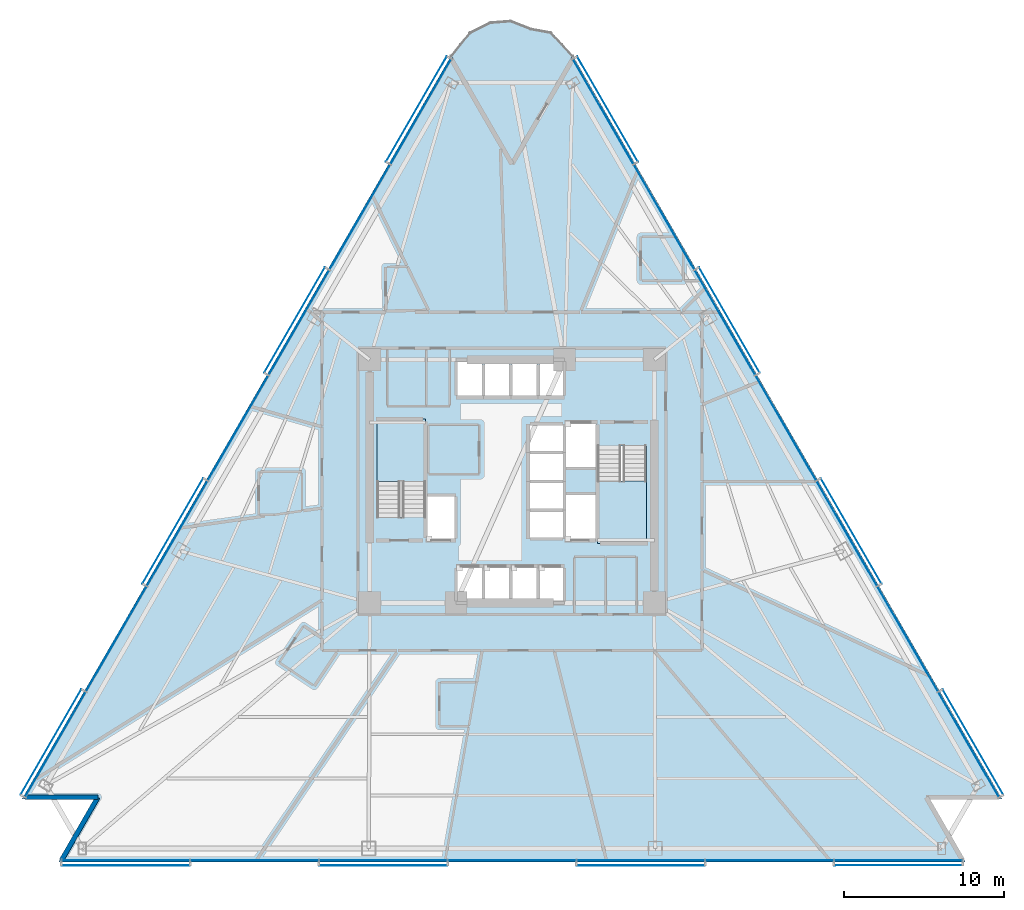
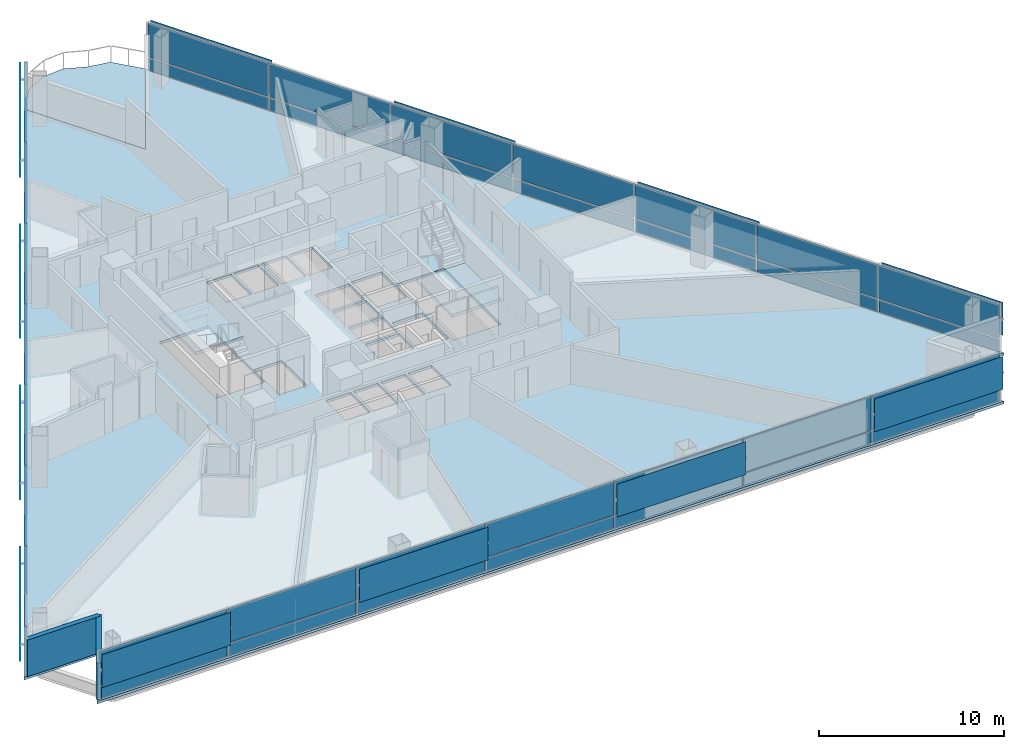
# One storey, part 6 of 16: 54 plates, 4 slabs, 2 walls, 5 elements without a shape of their own.
"""IFC4 building model written with IfcOpenShell, lengths in metres."""

import ifcopenshell
import ifcopenshell.guid

model = None  # the IFC model being written
_history = None  # IfcOwnerHistory: only IFC2X3 demands one
_inside = {}  # id of a spatial element -> (the spatial element, [elements in it])
_under = {}  # id of a project, library or spatial element -> (it, [spatial elements below it])
_declared = {}  # id of a project -> (the project, [libraries it declares])
_typed = {}  # id of a type object -> (the type object, [elements of that type])
_made_of = {}  # id of a material, layer set ... -> (it, [elements and type objects made of it])


def new_model(schema):
    """Start an empty IFC model of exactly this schema.

    Asked for "IFC4X3", IfcOpenShell would pick the latest addendum, in which some entities
    have other attributes; the version numbers below select the first issue.
    IFC2X3 requires an IfcOwnerHistory on every rooted entity: one is made here for all.
    """
    global model, _history
    if schema == "IFC4X3":
        model = ifcopenshell.file(schema_version=(4, 3, 0, 0))
    else:
        model = ifcopenshell.file(schema=schema)
    _inside.clear()
    _under.clear()
    _declared.clear()
    _typed.clear()
    _made_of.clear()
    _history = None
    if model.schema == "IFC2X3":
        org = make("IfcOrganization", Name="unknown")
        user = make(
            "IfcPersonAndOrganization",
            ThePerson=make("IfcPerson", FamilyName="unknown"),
            TheOrganization=org,
        )
        app = make(
            "IfcApplication",
            ApplicationDeveloper=org,
            Version="unknown",
            ApplicationFullName="unknown",
            ApplicationIdentifier="unknown",
        )
        _history = make(
            "IfcOwnerHistory",
            OwningUser=user,
            OwningApplication=app,
            ChangeAction="ADDED",
            CreationDate=0,
        )
    return model


def make(cls, **values):
    """One entity of the class cls with the attributes given. An attribute that is None is left unset."""
    return model.create_entity(
        cls, **{name: value for name, value in values.items() if value is not None}
    )


def rooted(cls, **values):
    """An entity with a GlobalId (a new one), such as an element, a storey or a relation."""
    return make(cls, GlobalId=ifcopenshell.guid.new(), OwnerHistory=_history, **values)


def si_unit(unit_type, name, prefix=None):
    """IfcSIUnit, for example si_unit("LENGTHUNIT", "METRE", prefix="MILLI")."""
    return make("IfcSIUnit", UnitType=unit_type, Prefix=prefix, Name=name)


def assignment(units):
    """IfcUnitAssignment: the units of a project."""
    return None if units is None else make("IfcUnitAssignment", Units=units)


def point(xyz):
    """IfcCartesianPoint."""
    return None if xyz is None else make("IfcCartesianPoint", Coordinates=xyz)


def direction(xyz):
    """IfcDirection."""
    return None if xyz is None else make("IfcDirection", DirectionRatios=xyz)


def frame(location, z_axis=None, x_axis=None):
    """IfcAxis2Placement3D, a coordinate frame: its origin and axes. An axis left out is left unset."""
    return make(
        "IfcAxis2Placement3D",
        Location=point(location),
        Axis=direction(z_axis),
        RefDirection=direction(x_axis),
    )


def frame_2d(location, x_axis=None):
    """IfcAxis2Placement2D, a coordinate frame in the plane: its origin and x axis."""
    return make(
        "IfcAxis2Placement2D", Location=point(location), RefDirection=direction(x_axis)
    )


def origin():
    """The frame at (0, 0, 0) with its axes left unset."""
    return frame((0.0, 0.0, 0.0))


def origin_2d():
    """The frame at (0, 0) in the plane with its x axis left unset."""
    return frame_2d((0.0, 0.0))


def place(relative_to, where):
    """IfcLocalPlacement: puts the frame where relative to a parent placement (None: the world)."""
    return make(
        "IfcLocalPlacement", PlacementRelTo=relative_to, RelativePlacement=where
    )


def context(
    kind, dimensions, precision=None, world=None, true_north=None, identifier=None
):
    """IfcGeometricRepresentationContext, for example the 3D "Model" context."""
    return make(
        "IfcGeometricRepresentationContext",
        ContextIdentifier=identifier,
        ContextType=kind,
        CoordinateSpaceDimension=dimensions,
        Precision=precision,
        WorldCoordinateSystem=world,
        TrueNorth=true_north,
    )


def subcontext(parent, identifier, kind, view, scale=None):
    """IfcGeometricRepresentationSubContext, for example "Body" below "Model"."""
    return make(
        "IfcGeometricRepresentationSubContext",
        ContextIdentifier=identifier,
        ContextType=kind,
        ParentContext=parent,
        TargetScale=scale,
        TargetView=view,
    )


def project(units=None, contexts=None):
    """IfcProject with its units and contexts."""
    return rooted(
        "IfcProject",
        Name="project",
        RepresentationContexts=contexts,
        UnitsInContext=assignment(units),
    )


def spatial(cls, under=None, at=None, **own):
    """A site, building, storey or space (cls), placed at a placement, below another one or the project."""
    s = rooted(cls, ObjectPlacement=at, **own)
    if under is not None:
        _under.setdefault(under.id(), (under, []))[1].append(s)
    return s


def polyline(points):
    """IfcPolyline through the points."""
    return make("IfcPolyline", Points=[point(p) for p in points])


def profile(cls, at=None, kind="AREA", **sizes):
    """A parametric profile (cls). Its sizes go by their IFC names, for example OverallWidth=200.0."""
    return make(cls, ProfileType=kind, Position=at, **sizes)


def rectangle(**sizes):
    """IfcRectangleProfileDef."""
    return profile("IfcRectangleProfileDef", **sizes)


def outline(outer, holes=None, kind="AREA"):
    """IfcArbitraryClosedProfileDef: a profile drawn as a closed curve; with holes, ...WithVoids."""
    if holes is None:
        return make("IfcArbitraryClosedProfileDef", ProfileType=kind, OuterCurve=outer)
    return make(
        "IfcArbitraryProfileDefWithVoids",
        ProfileType=kind,
        OuterCurve=outer,
        InnerCurves=holes,
    )


def extrude(swept, where, along, depth):
    """IfcExtrudedAreaSolid: the profile swept, set in the frame where, extruded along a direction by depth."""
    return make(
        "IfcExtrudedAreaSolid",
        SweptArea=swept,
        Position=where,
        ExtrudedDirection=direction(along),
        Depth=depth,
    )


def shape(context_of_items, identifier, shape_type, items):
    """IfcShapeRepresentation: the items that make up one representation, for example the "Body"."""
    return make(
        "IfcShapeRepresentation",
        ContextOfItems=context_of_items,
        RepresentationIdentifier=identifier,
        RepresentationType=shape_type,
        Items=items,
    )


def material(Name=None, Category=None):
    """IfcMaterial."""
    return make("IfcMaterial", Name=Name, Category=Category)


def layer(
    of_material, thickness, ventilated=None, Name=None, Category=None, Priority=None
):
    """IfcMaterialLayer: one layer of a wall or slab, of a material (None: an air gap)."""
    return make(
        "IfcMaterialLayer",
        Material=of_material,
        LayerThickness=thickness,
        IsVentilated=ventilated,
        Name=Name,
        Category=Category,
        Priority=Priority,
    )


def layer_set(layers, Name=None):
    """IfcMaterialLayerSet."""
    return make("IfcMaterialLayerSet", MaterialLayers=layers, LayerSetName=Name)


def made_of(thing, what):
    """Note that an element or type object is made of a material, layer set ...; save() writes the relation."""
    if what is not None:
        _made_of.setdefault(what.id(), (what, []))[1].append(thing)
    return thing


def type_object(cls, material=None, **own):
    """A type object (cls), such as IfcWallType, which elements share."""
    return made_of(rooted(cls, **own), material)


def element(
    cls,
    number,
    at=None,
    inside=None,
    cuts=None,
    type_object=None,
    material=None,
    context=None,
    identifier="Body",
    shape_type=None,
    held_by="IfcProductDefinitionShape",
    body=None,
    shapes=None,
    **own,
):
    """One element of the class cls, such as IfcWall. Its Tag is "e" and its number.

    at: its placement. inside: the storey or other place that contains it. cuts: it is an
    opening in that element (IfcRelVoidsElement). A single representation is given by context,
    identifier, shape_type and body (its items); several are given by shapes. held_by: the class
    of the entity that holds the representations. save() writes the other relations.
    """
    e = rooted(cls, Tag="e%d" % number, ObjectPlacement=at, **own)
    if body is not None:
        shapes = [shape(context, identifier, shape_type, body)]
    if shapes is not None:
        e.Representation = make(held_by, Representations=shapes)
    if inside is not None:
        _inside.setdefault(inside.id(), (inside, []))[1].append(e)
    if cuts is not None:
        rooted(
            "IfcRelVoidsElement", RelatingBuildingElement=cuts, RelatedOpeningElement=e
        )
    if type_object is not None:
        _typed.setdefault(type_object.id(), (type_object, []))[1].append(e)
    return made_of(e, material)


def aggregate(whole, parts):
    """IfcRelAggregates: a whole, such as a stair, and the parts it consists of."""
    return rooted("IfcRelAggregates", RelatingObject=whole, RelatedObjects=parts)


def save(model, path):
    """Write the relations noted so far, then the file.

    IfcRelAggregates (storeys below a building ...), IfcRelContainedInSpatialStructure (elements
    in a storey), IfcRelDefinesByType, IfcRelAssociatesMaterial and IfcRelDeclares: one each for
    every whole, place, type object, material and project.
    """
    for whole, parts in _under.values():
        aggregate(whole, parts)
    for where, things in _inside.values():
        rooted(
            "IfcRelContainedInSpatialStructure",
            RelatedElements=things,
            RelatingStructure=where,
        )
    for kind, things in _typed.values():
        rooted("IfcRelDefinesByType", RelatedObjects=things, RelatingType=kind)
    for what, things in _made_of.values():
        rooted("IfcRelAssociatesMaterial", RelatedObjects=things, RelatingMaterial=what)
    for by, libraries in _declared.values():
        rooted("IfcRelDeclares", RelatingContext=by, RelatedDefinitions=libraries)
    model.write(path)


model = new_model("IFC4")

# Units and contexts
model_context = context("Model", 3, precision=1e-05, world=origin(), true_north=direction((0.0, 1.0)))
body_context = subcontext(model_context, "Body", "Model", "MODEL_VIEW")
ifc_project = project(units=[si_unit("LENGTHUNIT", "METRE"), si_unit("AREAUNIT", "SQUARE_METRE"), si_unit("VOLUMEUNIT", "CUBIC_METRE"), si_unit("PLANEANGLEUNIT", "RADIAN"), si_unit("MASSUNIT", "GRAM", prefix="KILO")], contexts=[model_context])

# Site, building, storey
site_placement = place(None, origin())
site = spatial("IfcSite", under=ifc_project, at=site_placement, CompositionType="ELEMENT")
building_placement = place(site_placement, origin())
building = spatial("IfcBuilding", under=site, at=building_placement, Name="Tharavind Bronze Gate", CompositionType="ELEMENT")
storey_placement = place(building_placement, frame((0.0, 0.0, 42.050048828125)))
storey = spatial("IfcBuildingStorey", under=building, at=storey_placement, Name="L09", CompositionType="ELEMENT", Elevation=42.050048828125)

# Plates
ifc_material_1 = material(Name="Perforated Bronze Alloy", Category="bronze")
ifc_layer_1 = layer(ifc_material_1, 0.011962890625)
ifc_layer_set_1 = layer_set([ifc_layer_1], Name="Perforated Bronze Alloy")
plate_type_1 = type_object("IfcPlateType", Name="BRONZE PERFORATED SOLAR SCREEN", PredefinedType="USERDEFINED", material=ifc_layer_set_1)
for number, where, z_axis, x_axis, name in (
    (1, (-5.976806640625, 23.27783203125, 0.97412109375), (0.0, 0.0, 1.0), (-0.500001511499, -0.866024531118, 0.0), "CW-L09-S1 perforated bronze solar screen 1"),
    (2, (-13.5927734375, 10.086669921875, 0.97412109375), (0.0, 0.0, 1.0), (-0.500001511499, -0.866024531118, 0.0), "CW-L09-S1 perforated bronze solar screen 3"),
    (3, (-21.208740234375, -3.1044921875, 0.97412109375), (0.0, 0.0, 1.0), (-0.500001511499, -0.866024531118, 0.0), "CW-L09-S1 perforated bronze solar screen 5"),
    (4, (-28.82470703125, -16.295654296875, 0.97412109375), (0.0, 0.0, 1.0), (-0.500001511499, -0.866024531118, 0.0), "CW-L09-S1 perforated bronze solar screen 7"),
):
    element("IfcPlate", number, at=place(storey_placement, frame(where, z_axis=z_axis, x_axis=x_axis)), inside=storey, type_object=plate_type_1, Name=name, ObjectType="SCREEN", PredefinedType="USERDEFINED", context=body_context, shape_type="SweptSolid", body=[
        extrude(rectangle(XDim=7.595947265625, YDim=0.011962890625, at=origin_2d()), origin(), (0.0, 0.0, 1.0), 2.177001953125),
    ])
for number, where, z_axis, x_axis, name in (
    (5, (-24.150634765625, -24.014892578125, 0.97412109375), (0.0, 0.0, 1.0), (1.0, 0.0, 0.0), "CW-L09-S2 perforated bronze solar screen 1"),
    (6, (-8.05029296875, -24.014892578125, 0.97412109375), (0.0, 0.0, 1.0), (1.0, 0.0, 0.0), "CW-L09-S2 perforated bronze solar screen 3"),
    (7, (8.05029296875, -24.014892578125, 0.97412109375), (0.0, 0.0, 1.0), (1.0, 0.0, 0.0), "CW-L09-S2 perforated bronze solar screen 5"),
    (8, (24.150634765625, -24.014892578125, 0.97412109375), (0.0, 0.0, 1.0), (1.0, 0.0, 0.0), "CW-L09-S2 perforated bronze solar screen 7"),
):
    element("IfcPlate", number, at=place(storey_placement, frame(where, z_axis=z_axis, x_axis=x_axis)), inside=storey, type_object=plate_type_1, Name=name, ObjectType="SCREEN", PredefinedType="USERDEFINED", context=body_context, shape_type="SweptSolid", body=[
        extrude(rectangle(XDim=8.0302734375, YDim=0.011962890625, at=origin_2d()), origin(), (0.0, 0.0, 1.0), 2.177001953125),
    ])
for number, where, z_axis, x_axis, name in (
    (9, (28.82470703125, -16.295654296875, 0.97412109375), (0.0, 0.0, 1.0), (-0.500001511499, 0.866024531118, 0.0), "CW-L09-S3 perforated bronze solar screen 1"),
    (10, (21.208740234375, -3.1044921875, 0.97412109375), (0.0, 0.0, 1.0), (-0.500001511499, 0.866024531118, 0.0), "CW-L09-S3 perforated bronze solar screen 3"),
    (11, (13.5927734375, 10.086669921875, 0.97412109375), (0.0, 0.0, 1.0), (-0.500001511499, 0.866024531118, 0.0), "CW-L09-S3 perforated bronze solar screen 5"),
    (12, (5.976806640625, 23.27783203125, 0.97412109375), (0.0, 0.0, 1.0), (-0.500001511499, 0.866024531118, 0.0), "CW-L09-S3 perforated bronze solar screen 7"),
):
    element("IfcPlate", number, at=place(storey_placement, frame(where, z_axis=z_axis, x_axis=x_axis)), inside=storey, type_object=plate_type_1, Name=name, ObjectType="SCREEN", PredefinedType="USERDEFINED", context=body_context, shape_type="SweptSolid", body=[
        extrude(rectangle(XDim=7.595947265625, YDim=0.011962890625, at=origin_2d()), origin(), (0.0, 0.0, 1.0), 2.177001953125),
    ])

# Curtain wall, plates
ifc_material_2 = material(Name="Anodised Bronze Aluminium", Category="aluminium")
ifc_layer_2 = layer(ifc_material_2, 0.219970703125)
ifc_layer_set_2 = layer_set([ifc_layer_2], Name="Anodised Bronze Aluminium")
curtain_wall_type = type_object("IfcCurtainWallType", Name="UNITISED CURTAIN WALL HOTEL", PredefinedType="USERDEFINED", material=ifc_layer_set_2)
curtain_wall_1_placement = place(storey_placement, origin())
curtain_wall_1 = element("IfcCurtainWall", 13, at=curtain_wall_1_placement, inside=storey, type_object=curtain_wall_type, Name="L09 unitised curtain wall hotel CW-L09-S1", ObjectType="UNITISED CURTAIN WALL", PredefinedType="USERDEFINED")
ifc_material_3 = material(Name="Patinated Bronze Alloy Sheet", Category="bronze")
ifc_layer_3 = layer(ifc_material_3, 0.01611328125)
ifc_layer_set_3 = layer_set([ifc_layer_3], Name="Patinated Bronze Alloy Sheet")
plate_type_2 = type_object("IfcPlateType", Name="BRONZE SPANDREL CLADDING PANEL 16", PredefinedType="CURTAIN_PANEL", material=ifc_layer_set_3)
plate_1_placement = place(storey_placement, frame((-5.7041015625, 23.120361328125, 0.033935546875), z_axis=(0.0, 0.0, 1.0), x_axis=(-0.500001511499, -0.866024531118, 0.0)))
plate_1 = element("IfcPlate", 14, at=plate_1_placement, type_object=plate_type_2, Name="CW-L09-S1 bronze spandrel panel 1", PredefinedType="CURTAIN_PANEL", context=body_context, shape_type="SweptSolid", body=[
    extrude(rectangle(XDim=7.5478515625, YDim=0.01611328125, at=origin_2d()), origin(), (0.0, 0.0, 1.0), 0.83203125),
])
plate_2_placement = place(storey_placement, frame((-9.511962890625, 16.52490234375, 0.033935546875), z_axis=(0.0, 0.0, 1.0), x_axis=(-0.500001511499, -0.866024531118, 0.0)))
plate_2 = element("IfcPlate", 15, at=plate_2_placement, type_object=plate_type_2, Name="CW-L09-S1 bronze spandrel panel 2", PredefinedType="CURTAIN_PANEL", context=body_context, shape_type="SweptSolid", body=[
    extrude(rectangle(XDim=7.5478515625, YDim=0.01611328125, at=origin_2d()), origin(), (0.0, 0.0, 1.0), 0.83203125),
])
plate_3_placement = place(storey_placement, frame((-13.31982421875, 9.92919921875, 0.033935546875), z_axis=(0.0, 0.0, 1.0), x_axis=(-0.500001511499, -0.866024531118, 0.0)))
plate_3 = element("IfcPlate", 16, at=plate_3_placement, type_object=plate_type_2, Name="CW-L09-S1 bronze spandrel panel 3", PredefinedType="CURTAIN_PANEL", context=body_context, shape_type="SweptSolid", body=[
    extrude(rectangle(XDim=7.5478515625, YDim=0.01611328125, at=origin_2d()), origin(), (0.0, 0.0, 1.0), 0.83203125),
])
plate_4_placement = place(storey_placement, frame((-17.1279296875, 3.33349609375, 0.033935546875), z_axis=(0.0, 0.0, 1.0), x_axis=(-0.500001511499, -0.866024531118, 0.0)))
plate_4 = element("IfcPlate", 17, at=plate_4_placement, type_object=plate_type_2, Name="CW-L09-S1 bronze spandrel panel 4", PredefinedType="CURTAIN_PANEL", context=body_context, shape_type="SweptSolid", body=[
    extrude(rectangle(XDim=7.5478515625, YDim=0.01611328125, at=origin_2d()), origin(), (0.0, 0.0, 1.0), 0.83203125),
])
plate_5_placement = place(storey_placement, frame((-20.935791015625, -3.261962890625, 0.033935546875), z_axis=(0.0, 0.0, 1.0), x_axis=(-0.500001511499, -0.866024531118, 0.0)))
plate_5 = element("IfcPlate", 18, at=plate_5_placement, type_object=plate_type_2, Name="CW-L09-S1 bronze spandrel panel 5", PredefinedType="CURTAIN_PANEL", context=body_context, shape_type="SweptSolid", body=[
    extrude(rectangle(XDim=7.5478515625, YDim=0.01611328125, at=origin_2d()), origin(), (0.0, 0.0, 1.0), 0.83203125),
])
plate_6_placement = place(storey_placement, frame((-24.743896484375, -9.857421875, 0.033935546875), z_axis=(0.0, 0.0, 1.0), x_axis=(-0.500001511499, -0.866024531118, 0.0)))
plate_6 = element("IfcPlate", 19, at=plate_6_placement, type_object=plate_type_2, Name="CW-L09-S1 bronze spandrel panel 6", PredefinedType="CURTAIN_PANEL", context=body_context, shape_type="SweptSolid", body=[
    extrude(rectangle(XDim=7.5478515625, YDim=0.01611328125, at=origin_2d()), origin(), (0.0, 0.0, 1.0), 0.83203125),
])
plate_7_placement = place(storey_placement, frame((-28.5517578125, -16.453125, 0.033935546875), z_axis=(0.0, 0.0, 1.0), x_axis=(-0.500001511499, -0.866024531118, 0.0)))
plate_7 = element("IfcPlate", 20, at=plate_7_placement, type_object=plate_type_2, Name="CW-L09-S1 bronze spandrel panel 7", PredefinedType="CURTAIN_PANEL", context=body_context, shape_type="SweptSolid", body=[
    extrude(rectangle(XDim=7.5478515625, YDim=0.01611328125, at=origin_2d()), origin(), (0.0, 0.0, 1.0), 0.83203125),
])

curtain_wall_2_placement = place(storey_placement, origin())
curtain_wall_2 = element("IfcCurtainWall", 21, at=curtain_wall_2_placement, inside=storey, type_object=curtain_wall_type, Name="L09 unitised curtain wall hotel CW-L09-S2", ObjectType="UNITISED CURTAIN WALL", PredefinedType="USERDEFINED")
plate_8_placement = place(storey_placement, frame((-24.150634765625, -23.699951171875, 0.033935546875), z_axis=(0.0, 0.0, 1.0), x_axis=(1.0, 0.0, 0.0)))
plate_8 = element("IfcPlate", 22, at=plate_8_placement, type_object=plate_type_2, Name="CW-L09-S2 bronze spandrel panel 1", PredefinedType="CURTAIN_PANEL", context=body_context, shape_type="SweptSolid", body=[
    extrude(rectangle(XDim=7.982177734375, YDim=0.01611328125, at=origin_2d()), origin(), (0.0, 0.0, 1.0), 0.83203125),
])
plate_9_placement = place(storey_placement, frame((-16.1005859375, -23.699951171875, 0.033935546875), z_axis=(0.0, 0.0, 1.0), x_axis=(1.0, 0.0, 0.0)))
plate_9 = element("IfcPlate", 23, at=plate_9_placement, type_object=plate_type_2, Name="CW-L09-S2 bronze spandrel panel 2", PredefinedType="CURTAIN_PANEL", context=body_context, shape_type="SweptSolid", body=[
    extrude(rectangle(XDim=7.982177734375, YDim=0.01611328125, at=origin_2d()), origin(), (0.0, 0.0, 1.0), 0.83203125),
])
plate_10_placement = place(storey_placement, frame((-8.05029296875, -23.699951171875, 0.033935546875), z_axis=(0.0, 0.0, 1.0), x_axis=(1.0, 0.0, 0.0)))
plate_10 = element("IfcPlate", 24, at=plate_10_placement, type_object=plate_type_2, Name="CW-L09-S2 bronze spandrel panel 3", PredefinedType="CURTAIN_PANEL", context=body_context, shape_type="SweptSolid", body=[
    extrude(rectangle(XDim=7.982177734375, YDim=0.01611328125, at=origin_2d()), origin(), (0.0, 0.0, 1.0), 0.83203125),
])
plate_11_placement = place(storey_placement, frame((0.0, -23.699951171875, 0.033935546875), z_axis=(0.0, 0.0, 1.0), x_axis=(1.0, 0.0, 0.0)))
plate_11 = element("IfcPlate", 25, at=plate_11_placement, type_object=plate_type_2, Name="CW-L09-S2 bronze spandrel panel 4", PredefinedType="CURTAIN_PANEL", context=body_context, shape_type="SweptSolid", body=[
    extrude(rectangle(XDim=7.982177734375, YDim=0.01611328125, at=origin_2d()), origin(), (0.0, 0.0, 1.0), 0.83203125),
])
plate_12_placement = place(storey_placement, frame((8.05029296875, -23.699951171875, 0.033935546875), z_axis=(0.0, 0.0, 1.0), x_axis=(1.0, 0.0, 0.0)))
plate_12 = element("IfcPlate", 26, at=plate_12_placement, type_object=plate_type_2, Name="CW-L09-S2 bronze spandrel panel 5", PredefinedType="CURTAIN_PANEL", context=body_context, shape_type="SweptSolid", body=[
    extrude(rectangle(XDim=7.982177734375, YDim=0.01611328125, at=origin_2d()), origin(), (0.0, 0.0, 1.0), 0.83203125),
])
plate_13_placement = place(storey_placement, frame((16.1005859375, -23.699951171875, 0.033935546875), z_axis=(0.0, 0.0, 1.0), x_axis=(1.0, 0.0, 0.0)))
plate_13 = element("IfcPlate", 27, at=plate_13_placement, type_object=plate_type_2, Name="CW-L09-S2 bronze spandrel panel 6", PredefinedType="CURTAIN_PANEL", context=body_context, shape_type="SweptSolid", body=[
    extrude(rectangle(XDim=7.982177734375, YDim=0.01611328125, at=origin_2d()), origin(), (0.0, 0.0, 1.0), 0.83203125),
])
plate_14_placement = place(storey_placement, frame((24.150634765625, -23.699951171875, 0.033935546875), z_axis=(0.0, 0.0, 1.0), x_axis=(1.0, 0.0, 0.0)))
plate_14 = element("IfcPlate", 28, at=plate_14_placement, type_object=plate_type_2, Name="CW-L09-S2 bronze spandrel panel 7", PredefinedType="CURTAIN_PANEL", context=body_context, shape_type="SweptSolid", body=[
    extrude(rectangle(XDim=7.982177734375, YDim=0.01611328125, at=origin_2d()), origin(), (0.0, 0.0, 1.0), 0.83203125),
])

curtain_wall_3_placement = place(storey_placement, origin())
curtain_wall_3 = element("IfcCurtainWall", 29, at=curtain_wall_3_placement, inside=storey, type_object=curtain_wall_type, Name="L09 unitised curtain wall hotel CW-L09-S3", ObjectType="UNITISED CURTAIN WALL", PredefinedType="USERDEFINED")
plate_15_placement = place(storey_placement, frame((28.5517578125, -16.453125, 0.033935546875), z_axis=(0.0, 0.0, 1.0), x_axis=(-0.500001511499, 0.866024531118, 0.0)))
plate_15 = element("IfcPlate", 30, at=plate_15_placement, type_object=plate_type_2, Name="CW-L09-S3 bronze spandrel panel 1", PredefinedType="CURTAIN_PANEL", context=body_context, shape_type="SweptSolid", body=[
    extrude(rectangle(XDim=7.5478515625, YDim=0.01611328125, at=origin_2d()), origin(), (0.0, 0.0, 1.0), 0.83203125),
])
plate_16_placement = place(storey_placement, frame((24.743896484375, -9.857421875, 0.033935546875), z_axis=(0.0, 0.0, 1.0), x_axis=(-0.500001511499, 0.866024531118, 0.0)))
plate_16 = element("IfcPlate", 31, at=plate_16_placement, type_object=plate_type_2, Name="CW-L09-S3 bronze spandrel panel 2", PredefinedType="CURTAIN_PANEL", context=body_context, shape_type="SweptSolid", body=[
    extrude(rectangle(XDim=7.5478515625, YDim=0.01611328125, at=origin_2d()), origin(), (0.0, 0.0, 1.0), 0.83203125),
])
plate_17_placement = place(storey_placement, frame((20.935791015625, -3.261962890625, 0.033935546875), z_axis=(0.0, 0.0, 1.0), x_axis=(-0.500001511499, 0.866024531118, 0.0)))
plate_17 = element("IfcPlate", 32, at=plate_17_placement, type_object=plate_type_2, Name="CW-L09-S3 bronze spandrel panel 3", PredefinedType="CURTAIN_PANEL", context=body_context, shape_type="SweptSolid", body=[
    extrude(rectangle(XDim=7.5478515625, YDim=0.01611328125, at=origin_2d()), origin(), (0.0, 0.0, 1.0), 0.83203125),
])
plate_18_placement = place(storey_placement, frame((17.1279296875, 3.33349609375, 0.033935546875), z_axis=(0.0, 0.0, 1.0), x_axis=(-0.500001511499, 0.866024531118, 0.0)))
plate_18 = element("IfcPlate", 33, at=plate_18_placement, type_object=plate_type_2, Name="CW-L09-S3 bronze spandrel panel 4", PredefinedType="CURTAIN_PANEL", context=body_context, shape_type="SweptSolid", body=[
    extrude(rectangle(XDim=7.5478515625, YDim=0.01611328125, at=origin_2d()), origin(), (0.0, 0.0, 1.0), 0.83203125),
])
plate_19_placement = place(storey_placement, frame((13.31982421875, 9.92919921875, 0.033935546875), z_axis=(0.0, 0.0, 1.0), x_axis=(-0.500001511499, 0.866024531118, 0.0)))
plate_19 = element("IfcPlate", 34, at=plate_19_placement, type_object=plate_type_2, Name="CW-L09-S3 bronze spandrel panel 5", PredefinedType="CURTAIN_PANEL", context=body_context, shape_type="SweptSolid", body=[
    extrude(rectangle(XDim=7.5478515625, YDim=0.01611328125, at=origin_2d()), origin(), (0.0, 0.0, 1.0), 0.83203125),
])
plate_20_placement = place(storey_placement, frame((9.511962890625, 16.52490234375, 0.033935546875), z_axis=(0.0, 0.0, 1.0), x_axis=(-0.500001511499, 0.866024531118, 0.0)))
plate_20 = element("IfcPlate", 35, at=plate_20_placement, type_object=plate_type_2, Name="CW-L09-S3 bronze spandrel panel 6", PredefinedType="CURTAIN_PANEL", context=body_context, shape_type="SweptSolid", body=[
    extrude(rectangle(XDim=7.5478515625, YDim=0.01611328125, at=origin_2d()), origin(), (0.0, 0.0, 1.0), 0.83203125),
])
plate_21_placement = place(storey_placement, frame((5.7041015625, 23.120361328125, 0.033935546875), z_axis=(0.0, 0.0, 1.0), x_axis=(-0.500001511499, 0.866024531118, 0.0)))
plate_21 = element("IfcPlate", 36, at=plate_21_placement, type_object=plate_type_2, Name="CW-L09-S3 bronze spandrel panel 7", PredefinedType="CURTAIN_PANEL", context=body_context, shape_type="SweptSolid", body=[
    extrude(rectangle(XDim=7.5478515625, YDim=0.01611328125, at=origin_2d()), origin(), (0.0, 0.0, 1.0), 0.83203125),
])

# Plate
ifc_material_4 = material(Name="Low-E Double Glazing", Category="glass")
ifc_layer_4 = layer(ifc_material_4, 0.031982421875)
ifc_layer_set_4 = layer_set([ifc_layer_4], Name="Low-E Double Glazing")
plate_type_3 = type_object("IfcPlateType", Name="DOUBLE GLAZED FACADE PANEL 32", PredefinedType="CURTAIN_PANEL", material=ifc_layer_set_4)
plate_22_placement = place(storey_placement, frame((-5.7041015625, 23.120361328125, 0.93408203125), z_axis=(0.0, 0.0, 1.0), x_axis=(-0.500001511499, -0.866024531118, 0.0)))
plate_22 = element("IfcPlate", 37, at=plate_22_placement, type_object=plate_type_3, Name="CW-L09-S1 vision glazing panel 1", PredefinedType="CURTAIN_PANEL", context=body_context, shape_type="SweptSolid", body=[
    extrude(rectangle(XDim=7.5478515625, YDim=0.031982421875, at=origin_2d()), origin(), (0.0, 0.0, 1.0), 2.257080078125),
])

plate_23_placement = place(storey_placement, frame((-9.511962890625, 16.52490234375, 0.93408203125), z_axis=(0.0, 0.0, 1.0), x_axis=(-0.500001511499, -0.866024531118, 0.0)))
plate_23 = element("IfcPlate", 38, at=plate_23_placement, type_object=plate_type_3, Name="CW-L09-S1 vision glazing panel 2", PredefinedType="CURTAIN_PANEL", context=body_context, shape_type="SweptSolid", body=[
    extrude(rectangle(XDim=7.5478515625, YDim=0.031982421875, at=origin_2d()), origin(), (0.0, 0.0, 1.0), 2.257080078125),
])

plate_24_placement = place(storey_placement, frame((-13.31982421875, 9.92919921875, 0.93408203125), z_axis=(0.0, 0.0, 1.0), x_axis=(-0.500001511499, -0.866024531118, 0.0)))
plate_24 = element("IfcPlate", 39, at=plate_24_placement, type_object=plate_type_3, Name="CW-L09-S1 vision glazing panel 3", PredefinedType="CURTAIN_PANEL", context=body_context, shape_type="SweptSolid", body=[
    extrude(rectangle(XDim=7.5478515625, YDim=0.031982421875, at=origin_2d()), origin(), (0.0, 0.0, 1.0), 2.257080078125),
])

plate_25_placement = place(storey_placement, frame((-17.1279296875, 3.33349609375, 0.93408203125), z_axis=(0.0, 0.0, 1.0), x_axis=(-0.500001511499, -0.866024531118, 0.0)))
plate_25 = element("IfcPlate", 40, at=plate_25_placement, type_object=plate_type_3, Name="CW-L09-S1 vision glazing panel 4", PredefinedType="CURTAIN_PANEL", context=body_context, shape_type="SweptSolid", body=[
    extrude(rectangle(XDim=7.5478515625, YDim=0.031982421875, at=origin_2d()), origin(), (0.0, 0.0, 1.0), 2.257080078125),
])

plate_26_placement = place(storey_placement, frame((-20.935791015625, -3.261962890625, 0.93408203125), z_axis=(0.0, 0.0, 1.0), x_axis=(-0.500001511499, -0.866024531118, 0.0)))
plate_26 = element("IfcPlate", 41, at=plate_26_placement, type_object=plate_type_3, Name="CW-L09-S1 vision glazing panel 5", PredefinedType="CURTAIN_PANEL", context=body_context, shape_type="SweptSolid", body=[
    extrude(rectangle(XDim=7.5478515625, YDim=0.031982421875, at=origin_2d()), origin(), (0.0, 0.0, 1.0), 2.257080078125),
])

plate_27_placement = place(storey_placement, frame((-24.743896484375, -9.857421875, 0.93408203125), z_axis=(0.0, 0.0, 1.0), x_axis=(-0.500001511499, -0.866024531118, 0.0)))
plate_27 = element("IfcPlate", 42, at=plate_27_placement, type_object=plate_type_3, Name="CW-L09-S1 vision glazing panel 6", PredefinedType="CURTAIN_PANEL", context=body_context, shape_type="SweptSolid", body=[
    extrude(rectangle(XDim=7.5478515625, YDim=0.031982421875, at=origin_2d()), origin(), (0.0, 0.0, 1.0), 2.257080078125),
])

plate_28_placement = place(storey_placement, frame((-28.5517578125, -16.453125, 0.93408203125), z_axis=(0.0, 0.0, 1.0), x_axis=(-0.500001511499, -0.866024531118, 0.0)))
plate_28 = element("IfcPlate", 43, at=plate_28_placement, type_object=plate_type_3, Name="CW-L09-S1 vision glazing panel 7", PredefinedType="CURTAIN_PANEL", context=body_context, shape_type="SweptSolid", body=[
    extrude(rectangle(XDim=7.5478515625, YDim=0.031982421875, at=origin_2d()), origin(), (0.0, 0.0, 1.0), 2.257080078125),
])

aggregate(curtain_wall_1, [plate_1, plate_22, plate_2, plate_23, plate_3, plate_24, plate_4, plate_25, plate_5, plate_26, plate_6, plate_27, plate_7, plate_28])

plate_29_placement = place(storey_placement, frame((-24.150634765625, -23.699951171875, 0.93408203125), z_axis=(0.0, 0.0, 1.0), x_axis=(1.0, 0.0, 0.0)))
plate_29 = element("IfcPlate", 44, at=plate_29_placement, type_object=plate_type_3, Name="CW-L09-S2 vision glazing panel 1", PredefinedType="CURTAIN_PANEL", context=body_context, shape_type="SweptSolid", body=[
    extrude(rectangle(XDim=7.982177734375, YDim=0.031982421875, at=origin_2d()), origin(), (0.0, 0.0, 1.0), 2.257080078125),
])

plate_30_placement = place(storey_placement, frame((-16.1005859375, -23.699951171875, 0.93408203125), z_axis=(0.0, 0.0, 1.0), x_axis=(1.0, 0.0, 0.0)))
plate_30 = element("IfcPlate", 45, at=plate_30_placement, type_object=plate_type_3, Name="CW-L09-S2 vision glazing panel 2", PredefinedType="CURTAIN_PANEL", context=body_context, shape_type="SweptSolid", body=[
    extrude(rectangle(XDim=7.982177734375, YDim=0.031982421875, at=origin_2d()), origin(), (0.0, 0.0, 1.0), 2.257080078125),
])

plate_31_placement = place(storey_placement, frame((-8.05029296875, -23.699951171875, 0.93408203125), z_axis=(0.0, 0.0, 1.0), x_axis=(1.0, 0.0, 0.0)))
plate_31 = element("IfcPlate", 46, at=plate_31_placement, type_object=plate_type_3, Name="CW-L09-S2 vision glazing panel 3", PredefinedType="CURTAIN_PANEL", context=body_context, shape_type="SweptSolid", body=[
    extrude(rectangle(XDim=7.982177734375, YDim=0.031982421875, at=origin_2d()), origin(), (0.0, 0.0, 1.0), 2.257080078125),
])

plate_32_placement = place(storey_placement, frame((0.0, -23.699951171875, 0.93408203125), z_axis=(0.0, 0.0, 1.0), x_axis=(1.0, 0.0, 0.0)))
plate_32 = element("IfcPlate", 47, at=plate_32_placement, type_object=plate_type_3, Name="CW-L09-S2 vision glazing panel 4", PredefinedType="CURTAIN_PANEL", context=body_context, shape_type="SweptSolid", body=[
    extrude(rectangle(XDim=7.982177734375, YDim=0.031982421875, at=origin_2d()), origin(), (0.0, 0.0, 1.0), 2.257080078125),
])

plate_33_placement = place(storey_placement, frame((8.05029296875, -23.699951171875, 0.93408203125), z_axis=(0.0, 0.0, 1.0), x_axis=(1.0, 0.0, 0.0)))
plate_33 = element("IfcPlate", 48, at=plate_33_placement, type_object=plate_type_3, Name="CW-L09-S2 vision glazing panel 5", PredefinedType="CURTAIN_PANEL", context=body_context, shape_type="SweptSolid", body=[
    extrude(rectangle(XDim=7.982177734375, YDim=0.031982421875, at=origin_2d()), origin(), (0.0, 0.0, 1.0), 2.257080078125),
])

plate_34_placement = place(storey_placement, frame((16.1005859375, -23.699951171875, 0.93408203125), z_axis=(0.0, 0.0, 1.0), x_axis=(1.0, 0.0, 0.0)))
plate_34 = element("IfcPlate", 49, at=plate_34_placement, type_object=plate_type_3, Name="CW-L09-S2 vision glazing panel 6", PredefinedType="CURTAIN_PANEL", context=body_context, shape_type="SweptSolid", body=[
    extrude(rectangle(XDim=7.982177734375, YDim=0.031982421875, at=origin_2d()), origin(), (0.0, 0.0, 1.0), 2.257080078125),
])

plate_35_placement = place(storey_placement, frame((24.150634765625, -23.699951171875, 0.93408203125), z_axis=(0.0, 0.0, 1.0), x_axis=(1.0, 0.0, 0.0)))
plate_35 = element("IfcPlate", 50, at=plate_35_placement, type_object=plate_type_3, Name="CW-L09-S2 vision glazing panel 7", PredefinedType="CURTAIN_PANEL", context=body_context, shape_type="SweptSolid", body=[
    extrude(rectangle(XDim=7.982177734375, YDim=0.031982421875, at=origin_2d()), origin(), (0.0, 0.0, 1.0), 2.257080078125),
])

aggregate(curtain_wall_2, [plate_8, plate_29, plate_9, plate_30, plate_10, plate_31, plate_11, plate_32, plate_12, plate_33, plate_13, plate_34, plate_14, plate_35])

plate_36_placement = place(storey_placement, frame((28.5517578125, -16.453125, 0.93408203125), z_axis=(0.0, 0.0, 1.0), x_axis=(-0.500001511499, 0.866024531118, 0.0)))
plate_36 = element("IfcPlate", 51, at=plate_36_placement, type_object=plate_type_3, Name="CW-L09-S3 vision glazing panel 1", PredefinedType="CURTAIN_PANEL", context=body_context, shape_type="SweptSolid", body=[
    extrude(rectangle(XDim=7.5478515625, YDim=0.031982421875, at=origin_2d()), origin(), (0.0, 0.0, 1.0), 2.257080078125),
])

plate_37_placement = place(storey_placement, frame((24.743896484375, -9.857421875, 0.93408203125), z_axis=(0.0, 0.0, 1.0), x_axis=(-0.500001511499, 0.866024531118, 0.0)))
plate_37 = element("IfcPlate", 52, at=plate_37_placement, type_object=plate_type_3, Name="CW-L09-S3 vision glazing panel 2", PredefinedType="CURTAIN_PANEL", context=body_context, shape_type="SweptSolid", body=[
    extrude(rectangle(XDim=7.5478515625, YDim=0.031982421875, at=origin_2d()), origin(), (0.0, 0.0, 1.0), 2.257080078125),
])

plate_38_placement = place(storey_placement, frame((20.935791015625, -3.261962890625, 0.93408203125), z_axis=(0.0, 0.0, 1.0), x_axis=(-0.500001511499, 0.866024531118, 0.0)))
plate_38 = element("IfcPlate", 53, at=plate_38_placement, type_object=plate_type_3, Name="CW-L09-S3 vision glazing panel 3", PredefinedType="CURTAIN_PANEL", context=body_context, shape_type="SweptSolid", body=[
    extrude(rectangle(XDim=7.5478515625, YDim=0.031982421875, at=origin_2d()), origin(), (0.0, 0.0, 1.0), 2.257080078125),
])

plate_39_placement = place(storey_placement, frame((17.1279296875, 3.33349609375, 0.93408203125), z_axis=(0.0, 0.0, 1.0), x_axis=(-0.500001511499, 0.866024531118, 0.0)))
plate_39 = element("IfcPlate", 54, at=plate_39_placement, type_object=plate_type_3, Name="CW-L09-S3 vision glazing panel 4", PredefinedType="CURTAIN_PANEL", context=body_context, shape_type="SweptSolid", body=[
    extrude(rectangle(XDim=7.5478515625, YDim=0.031982421875, at=origin_2d()), origin(), (0.0, 0.0, 1.0), 2.257080078125),
])

plate_40_placement = place(storey_placement, frame((13.31982421875, 9.92919921875, 0.93408203125), z_axis=(0.0, 0.0, 1.0), x_axis=(-0.500001511499, 0.866024531118, 0.0)))
plate_40 = element("IfcPlate", 55, at=plate_40_placement, type_object=plate_type_3, Name="CW-L09-S3 vision glazing panel 5", PredefinedType="CURTAIN_PANEL", context=body_context, shape_type="SweptSolid", body=[
    extrude(rectangle(XDim=7.5478515625, YDim=0.031982421875, at=origin_2d()), origin(), (0.0, 0.0, 1.0), 2.257080078125),
])

plate_41_placement = place(storey_placement, frame((9.511962890625, 16.52490234375, 0.93408203125), z_axis=(0.0, 0.0, 1.0), x_axis=(-0.500001511499, 0.866024531118, 0.0)))
plate_41 = element("IfcPlate", 56, at=plate_41_placement, type_object=plate_type_3, Name="CW-L09-S3 vision glazing panel 6", PredefinedType="CURTAIN_PANEL", context=body_context, shape_type="SweptSolid", body=[
    extrude(rectangle(XDim=7.5478515625, YDim=0.031982421875, at=origin_2d()), origin(), (0.0, 0.0, 1.0), 2.257080078125),
])

plate_42_placement = place(storey_placement, frame((5.7041015625, 23.120361328125, 0.93408203125), z_axis=(0.0, 0.0, 1.0), x_axis=(-0.500001511499, 0.866024531118, 0.0)))
plate_42 = element("IfcPlate", 57, at=plate_42_placement, type_object=plate_type_3, Name="CW-L09-S3 vision glazing panel 7", PredefinedType="CURTAIN_PANEL", context=body_context, shape_type="SweptSolid", body=[
    extrude(rectangle(XDim=7.5478515625, YDim=0.031982421875, at=origin_2d()), origin(), (0.0, 0.0, 1.0), 2.257080078125),
])

aggregate(curtain_wall_3, [plate_15, plate_36, plate_16, plate_37, plate_17, plate_38, plate_18, plate_39, plate_19, plate_40, plate_20, plate_41, plate_21, plate_42])

# Slab
ifc_material_5 = material(Name="Concrete C40/50", Category="concrete")
ifc_layer_5 = layer(ifc_material_5, 0.175048828125)
ifc_layer_set_5 = layer_set([ifc_layer_5], Name="Concrete C40/50")
slab_type_1 = type_object("IfcSlabType", Name="EXTERIOR BALCONY SLAB 175", PredefinedType="FLOOR", material=ifc_layer_set_5)
slab_1_placement = place(storey_placement, frame((0.0, 0.0, -0.175048828125)))
element("IfcSlab", 58, at=slab_1_placement, inside=storey, type_object=slab_type_1, Name="L09 northeast tree balcony slab", PredefinedType="FLOOR", context=body_context, shape_type="SweptSolid", body=[
    extrude(outline(polyline([(2.44384765625, 28.1181640625), (1.17724609375, 28.349609375), (-0.089599609375, 28.847900390625), (-1.356201171875, 28.7490234375), (-2.622802734375, 28.1181640625), (-3.800048828125, 26.6181640625), (0.0, 20.036376953125), (3.800048828125, 26.6181640625), (2.44384765625, 28.1181640625)])), origin(), (0.0, 0.0, 1.0), 0.175048828125),
])

# Stair, slab
stair_type = type_object("IfcStairType", Name="CORE HALF TURN STAIR 1450", PredefinedType="HALF_TURN_STAIR", material=ifc_material_5)
stair_1_placement = place(storey_placement, origin())
stair_1 = element("IfcStair", 59, at=stair_1_placement, inside=storey, type_object=stair_type, Name="L09 Protected Exit Stair ST1", PredefinedType="HALF_TURN_STAIR")
ifc_layer_6 = layer(ifc_material_5, 0.199951171875)
ifc_layer_set_6 = layer_set([ifc_layer_6], Name="Concrete C40/50")
slab_type_2 = type_object("IfcSlabType", Name="STAIR LANDING SLAB 200", PredefinedType="LANDING", material=ifc_layer_set_6)
slab_2_placement = place(storey_placement, frame((0.0, 0.0, 1.5)))
slab_2 = element("IfcSlab", 60, at=slab_2_placement, type_object=slab_type_2, Name="ST1 landing 1", PredefinedType="LANDING", context=body_context, shape_type="SweptSolid", body=[
    extrude(outline(polyline([(-5.39990234375, -0.010009765625), (-5.39990234375, 3.89990234375), (-8.449951171875, 3.89990234375), (-8.449951171875, -0.010009765625), (-5.39990234375, -0.010009765625)])), origin(), (0.0, 0.0, 1.0), 0.199951171875),
])
aggregate(stair_1, [slab_2])

stair_2_placement = place(storey_placement, origin())
stair_2 = element("IfcStair", 61, at=stair_2_placement, inside=storey, type_object=stair_type, Name="L09 Protected Exit Stair ST2", PredefinedType="HALF_TURN_STAIR")
slab_3_placement = place(storey_placement, frame((0.0, 0.0, 1.5)))
slab_3 = element("IfcSlab", 62, at=slab_3_placement, type_object=slab_type_2, Name="ST2 landing 1", PredefinedType="LANDING", context=body_context, shape_type="SweptSolid", body=[
    extrude(outline(polyline([(5.35009765625, 0.010009765625), (5.35009765625, -3.89990234375), (8.39990234375, -3.89990234375), (8.39990234375, 0.010009765625), (5.35009765625, 0.010009765625)])), origin(), (0.0, 0.0, 1.0), 0.199951171875),
])
aggregate(stair_2, [slab_3])

# Slab
ifc_layer_7 = layer(ifc_material_5, 0.175048828125)
ifc_layer_set_7 = layer_set([ifc_layer_7], Name="Concrete C40/50")
slab_type_3 = type_object("IfcSlabType", Name="STRUCTURAL FLOOR SLAB 175", PredefinedType="FLOOR", material=ifc_layer_set_7)
slab_4_placement = place(storey_placement, frame((0.0, 0.0, -0.175048828125)))
element("IfcSlab", 63, at=slab_4_placement, inside=storey, type_object=slab_type_3, Name="L09 main structural floor slab", PredefinedType="FLOOR", context=body_context, shape_type="SweptSolid", body=[
    extrude(outline(polyline([(3.800048828125, 26.6181640625), (0.0, 20.036376953125), (-3.800048828125, 26.6181640625), (-30.62890625, -19.850830078125), (-26.069091796875, -19.850830078125), (-28.34912109375, -23.800048828125), (28.34912109375, -23.800048828125), (26.069091796875, -19.850830078125), (30.62890625, -19.850830078125), (3.800048828125, 26.6181640625)]), holes=[polyline([(-5.39990234375, -2.215087890625), (-5.39990234375, 3.89990234375), (-8.449951171875, 3.89990234375), (-8.449951171875, -2.215087890625), (-5.39990234375, -2.215087890625)]), polyline([(5.35009765625, 2.215087890625), (5.35009765625, -3.89990234375), (8.39990234375, -3.89990234375), (8.39990234375, 2.215087890625), (5.35009765625, 2.215087890625)]), polyline([(-3.419921875, -7.52001953125), (-1.867431640625, -7.52001953125), (-1.867431640625, -5.3798828125), (-3.419921875, -5.3798828125), (-3.419921875, -7.52001953125)]), polyline([(-1.70751953125, -7.52001953125), (-0.155029296875, -7.52001953125), (-0.155029296875, -5.3798828125), (-1.70751953125, -5.3798828125), (-1.70751953125, -7.52001953125)]), polyline([(0.0048828125, -7.52001953125), (1.5576171875, -7.52001953125), (1.5576171875, -5.3798828125), (0.0048828125, -5.3798828125), (0.0048828125, -7.52001953125)]), polyline([(1.717529296875, -7.52001953125), (3.199951171875, -7.52001953125), (3.199951171875, -5.3798828125), (1.717529296875, -5.3798828125), (1.717529296875, -7.52001953125)]), polyline([(-3.419921875, 5.330078125), (-1.867431640625, 5.330078125), (-1.867431640625, 7.52001953125), (-3.419921875, 7.52001953125), (-3.419921875, 5.330078125)]), polyline([(-1.70751953125, 5.330078125), (-0.155029296875, 5.330078125), (-0.155029296875, 7.52001953125), (-1.70751953125, 7.52001953125), (-1.70751953125, 5.330078125)]), polyline([(0.0048828125, 5.330078125), (1.5576171875, 5.330078125), (1.5576171875, 7.52001953125), (0.0048828125, 7.52001953125), (0.0048828125, 5.330078125)]), polyline([(1.717529296875, 5.330078125), (3.199951171875, 5.330078125), (3.199951171875, 7.52001953125), (1.717529296875, 7.52001953125), (1.717529296875, 5.330078125)]), polyline([(1.080078125, -3.52001953125), (3.199951171875, -3.52001953125), (3.199951171875, -1.8798828125), (1.080078125, -1.8798828125), (1.080078125, -3.52001953125)]), polyline([(1.080078125, -1.719970703125), (3.199951171875, -1.719970703125), (3.199951171875, -0.080078125), (1.080078125, -0.080078125), (1.080078125, -1.719970703125)]), polyline([(1.080078125, 0.080078125), (3.199951171875, 0.080078125), (3.199951171875, 1.719970703125), (1.080078125, 1.719970703125), (1.080078125, 0.080078125)]), polyline([(1.080078125, 1.8798828125), (3.199951171875, 1.8798828125), (3.199951171875, 3.52001953125), (1.080078125, 3.52001953125), (1.080078125, 1.8798828125)]), polyline([(-5.320068359375, -3.6201171875), (-3.580078125, -3.6201171875), (-3.580078125, -0.929931640625), (-5.320068359375, -0.929931640625), (-5.320068359375, -3.6201171875)]), polyline([(3.360107421875, 0.8798828125), (5.27001953125, 0.8798828125), (5.27001953125, 3.6201171875), (3.360107421875, 3.6201171875), (3.360107421875, 0.8798828125)]), polyline([(3.360107421875, -3.6201171875), (5.27001953125, -3.6201171875), (5.27001953125, -0.830078125), (3.360107421875, -0.830078125), (3.360107421875, -3.6201171875)])]), origin(), (0.0, 0.0, 1.0), 0.175048828125),
])

# Walls
ifc_layer_8 = layer(ifc_material_5, 0.300048828125)
ifc_layer_set_8 = layer_set([ifc_layer_8], Name="Concrete C40/50")
wall_type = type_object("IfcWallType", Name="EXTERIOR SPANDREL WALL 300", PredefinedType="STANDARD", material=ifc_layer_set_8)
wall_1_placement = place(storey_placement, frame((-30.455810546875, -19.7509765625, 0.0), z_axis=(0.0, 0.0, 1.0), x_axis=(1.0, 0.0, 0.0)))
element("IfcWall", 64, at=wall_1_placement, inside=storey, type_object=wall_type, Name="L09 notch cheek wall 2A", PredefinedType="STANDARD", context=body_context, shape_type="SweptSolid", body=[
    extrude(rectangle(XDim=4.56005859375, YDim=0.300048828125, at=frame_2d((2.280029296875, 0.0))), origin(), (0.0, 0.0, 1.0), 2.419921875),
])
wall_2_placement = place(storey_placement, frame((-25.895751953125, -19.7509765625, 0.0), z_axis=(0.0, 0.0, 1.0), x_axis=(-0.500014431597, -0.866017071537, 0.0)))
element("IfcWall", 65, at=wall_2_placement, inside=storey, type_object=wall_type, Name="L09 notch cheek wall 2B", PredefinedType="STANDARD", context=body_context, shape_type="SweptSolid", body=[
    extrude(rectangle(XDim=4.559814453125, YDim=0.300048828125, at=frame_2d((2.27978515625, 0.0))), origin(), (0.0, 0.0, 1.0), 2.419921875),
])

save(model, "model.ifc")
